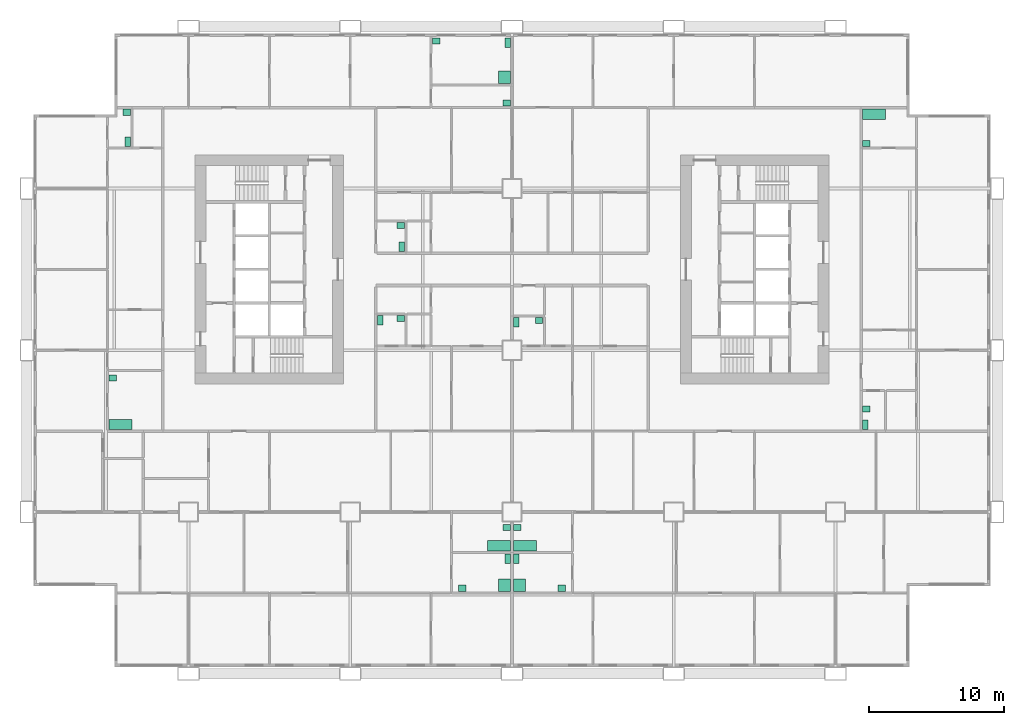
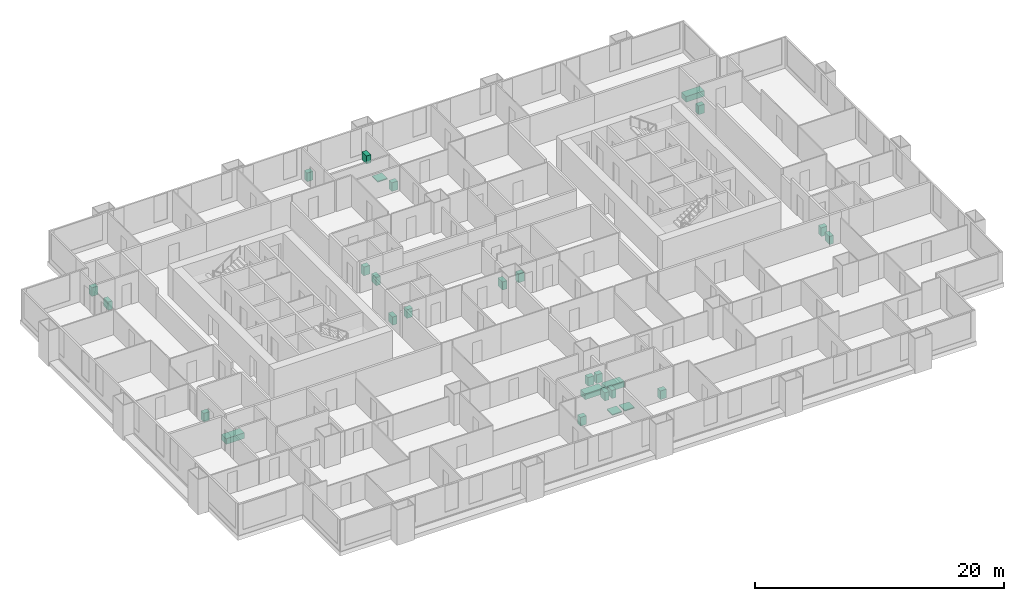
# One storey, part 14 of 14: 28 sanitary terminals.
"""IFC4 building model written with IfcOpenShell, lengths in metres."""

from ifc_helpers import new_model, si_unit, direction, frame, origin, origin_2d, place, context, subcontext, project, spatial, rectangle, extrude, material, type_object, element, save


model = new_model("IFC4")

# Units and contexts
model_context = context("Model", 3, precision=1e-05, world=origin(), true_north=direction((0.0, 1.0)))
body_context = subcontext(model_context, "Body", "Model", "MODEL_VIEW")
ifc_project = project(units=[si_unit("LENGTHUNIT", "METRE"), si_unit("AREAUNIT", "SQUARE_METRE"), si_unit("VOLUMEUNIT", "CUBIC_METRE"), si_unit("PLANEANGLEUNIT", "RADIAN"), si_unit("MASSUNIT", "GRAM", prefix="KILO")], contexts=[model_context])

# Site, building, storey
site_placement = place(None, origin())
site = spatial("IfcSite", under=ifc_project, at=site_placement, CompositionType="ELEMENT")
building_placement = place(site_placement, origin())
building = spatial("IfcBuilding", under=site, at=building_placement, Name="Kitamizu Gate Tower and Museum", CompositionType="ELEMENT")
storey_placement = place(building_placement, frame((0.0, 0.0, 64.5)))
storey = spatial("IfcBuildingStorey", under=building, at=storey_placement, Name="L15", CompositionType="ELEMENT", Elevation=64.5)

# Sanitary terminals
ifc_material_1 = material(Name="Acrylic")
sanitary_terminal_type_1 = type_object("IfcSanitaryTerminalType", Name="Bath", PredefinedType="BATH", material=ifc_material_1)
for number, where, z_axis, x_axis, name in (
    (1, (35.030029296875, 9.4951171875, 0.0009765625), (0.0, 0.0, 1.0), (1.0, 0.0, 0.0), "Bath Bathroom 15A"),
    (2, (36.969970703125, 9.4951171875, 0.0009765625), (0.0, 0.0, 1.0), (1.0, 0.0, 0.0), "Bath Bathroom 15B"),
    (3, (6.969970703125, 18.4951171875, 0.0009765625), (0.0, 0.0, 1.0), (1.0, 0.0, 0.0), "Bath Bathroom 15C"),
    (4, (62.8701171875, 41.5048828125, 0.0009765625), (0.0, 0.0, 1.0), (1.0, 0.0, 0.0), "Bath Bathroom 15E"),
):
    element("IfcSanitaryTerminal", number, at=place(storey_placement, frame(where, z_axis=z_axis, x_axis=x_axis)), inside=storey, type_object=sanitary_terminal_type_1, Name=name, PredefinedType="BATH", context=body_context, shape_type="SweptSolid", body=[
        extrude(rectangle(XDim=1.699951171875, YDim=0.75, at=origin_2d()), origin(), (0.0, 0.0, 1.0), 0.550048828125),
    ])
ifc_material_2 = material(Name="Acrylic")
sanitary_terminal_type_2 = type_object("IfcSanitaryTerminalType", Name="Shower tray", PredefinedType="SHOWER", material=ifc_material_2)
for number, where, z_axis, x_axis, name in (
    (5, (35.429931640625, 6.570068359375, 0.0009765625), (0.0, 0.0, 1.0), (1.0, 0.0, 0.0), "Shower tray En-suite bathroom 15A"),
    (6, (36.570068359375, 6.570068359375, 0.0009765625), (0.0, 0.0, 1.0), (1.0, 0.0, 0.0), "Shower tray En-suite bathroom 15B"),
    (7, (35.429931640625, 44.25, 0.0009765625), (0.0, 0.0, 1.0), (1.0, 0.0, 0.0), "Shower tray En-suite bathroom 15D"),
):
    element("IfcSanitaryTerminal", number, at=place(storey_placement, frame(where, z_axis=z_axis, x_axis=x_axis)), inside=storey, type_object=sanitary_terminal_type_2, Name=name, PredefinedType="SHOWER", context=body_context, shape_type="SweptSolid", body=[
        extrude(rectangle(XDim=0.89990234375, YDim=0.89990234375, at=origin_2d()), origin(), (0.0, 0.0, 1.0), 0.10009765625),
    ])
ifc_material_3 = material(Name="Vitreous china")
sanitary_terminal_type_3 = type_object("IfcSanitaryTerminalType", Name="Wash hand basin", PredefinedType="WASHHANDBASIN", material=ifc_material_3)
for number, where, z_axis, x_axis, name in (
    (8, (32.294921875, 6.344970703125, 0.0009765625), (0.0, 0.0, 1.0), (1.0, 0.0, 0.0), "Wash hand basin En-suite bathroom 15A"),
    (9, (35.60498046875, 10.85498046875, 0.0009765625), (0.0, 0.0, 1.0), (1.0, 0.0, 0.0), "Wash hand basin Bathroom 15A"),
    (10, (27.7548828125, 26.35498046875, 0.0009765625), (0.0, 0.0, 1.0), (1.0, 0.0, 0.0), "Wash hand basin WC 15A"),
    (11, (39.705078125, 6.344970703125, 0.0009765625), (0.0, 0.0, 1.0), (1.0, 0.0, 0.0), "Wash hand basin En-suite bathroom 15B"),
    (12, (36.39501953125, 10.85498046875, 0.0009765625), (0.0, 0.0, 1.0), (1.0, 0.0, 0.0), "Wash hand basin Bathroom 15B"),
    (13, (38.0048828125, 26.205078125, 0.0009765625), (0.0, 0.0, 1.0), (1.0, 0.0, 0.0), "Wash hand basin WC 15B"),
    (14, (6.39501953125, 21.955078125, 0.0009765625), (0.0, 0.0, 1.0), (1.0, 0.0, 0.0), "Wash hand basin Bathroom 15C"),
    (15, (7.405029296875, 41.655029296875, 0.0009765625), (0.0, 0.0, 1.0), (1.0, 0.0, 0.0), "Wash hand basin WC 15C"),
    (16, (30.39501953125, 46.93505859375, 0.0009765625), (0.0, 0.0, 1.0), (1.0, 0.0, 0.0), "Wash hand basin En-suite bathroom 15D"),
    (17, (35.60498046875, 42.344970703125, 0.0009765625), (0.0, 0.0, 1.0), (1.0, 0.0, 0.0), "Wash hand basin Wash room 15D"),
    (18, (27.7548828125, 33.2548828125, 0.0009765625), (0.0, 0.0, 1.0), (1.0, 0.0, 0.0), "Wash hand basin WC 15D"),
    (19, (62.294921875, 19.655029296875, 0.0009765625), (0.0, 0.0, 1.0), (1.0, 0.0, 0.0), "Wash hand basin WC 15E"),
    (20, (62.294921875, 39.344970703125, 0.0009765625), (0.0, 0.0, 1.0), (1.0, 0.0, 0.0), "Wash hand basin Bathroom 15E"),
):
    element("IfcSanitaryTerminal", number, at=place(storey_placement, frame(where, z_axis=z_axis, x_axis=x_axis)), inside=storey, type_object=sanitary_terminal_type_3, Name=name, PredefinedType="WASHHANDBASIN", context=body_context, shape_type="SweptSolid", body=[
        extrude(rectangle(XDim=0.550048828125, YDim=0.449951171875, at=origin_2d()), origin(), (0.0, 0.0, 1.0), 0.85009765625),
    ])
ifc_material_4 = material(Name="Vitreous china")
sanitary_terminal_type_4 = type_object("IfcSanitaryTerminalType", Name="Water closet", PredefinedType="TOILETPAN", material=ifc_material_4)
for number, where, z_axis, x_axis, name in (
    (21, (35.679931640625, 8.530029296875, 0.0009765625), (0.0, 0.0, 1.0), (1.0, 0.0, 0.0), "Water closet En-suite bathroom 15A"),
    (22, (26.219970703125, 26.22998046875, 0.0009765625), (0.0, 0.0, 1.0), (1.0, 0.0, 0.0), "Water closet WC 15A"),
    (23, (36.320068359375, 8.530029296875, 0.0009765625), (0.0, 0.0, 1.0), (1.0, 0.0, 0.0), "Water closet En-suite bathroom 15B"),
    (24, (36.320068359375, 26.080078125, 0.0009765625), (0.0, 0.0, 1.0), (1.0, 0.0, 0.0), "Water closet WC 15B"),
    (25, (7.47998046875, 39.469970703125, 0.0009765625), (0.0, 0.0, 1.0), (1.0, 0.0, 0.0), "Water closet WC 15C"),
    (26, (35.679931640625, 46.81005859375, 0.0009765625), (0.0, 0.0, 1.0), (1.0, 0.0, 0.0), "Water closet En-suite bathroom 15D"),
    (27, (27.830078125, 31.669921875, 0.0009765625), (0.0, 0.0, 1.0), (1.0, 0.0, 0.0), "Water closet WC 15D"),
    (28, (62.219970703125, 18.469970703125, 0.0009765625), (0.0, 0.0, 1.0), (1.0, 0.0, 0.0), "Water closet WC 15E"),
):
    element("IfcSanitaryTerminal", number, at=place(storey_placement, frame(where, z_axis=z_axis, x_axis=x_axis)), inside=storey, type_object=sanitary_terminal_type_4, Name=name, PredefinedType="TOILETPAN", context=body_context, shape_type="SweptSolid", body=[
        extrude(rectangle(XDim=0.39990234375, YDim=0.699951171875, at=origin_2d()), origin(), (0.0, 0.0, 1.0), 0.800048828125),
    ])

save(model, "model.ifc")
